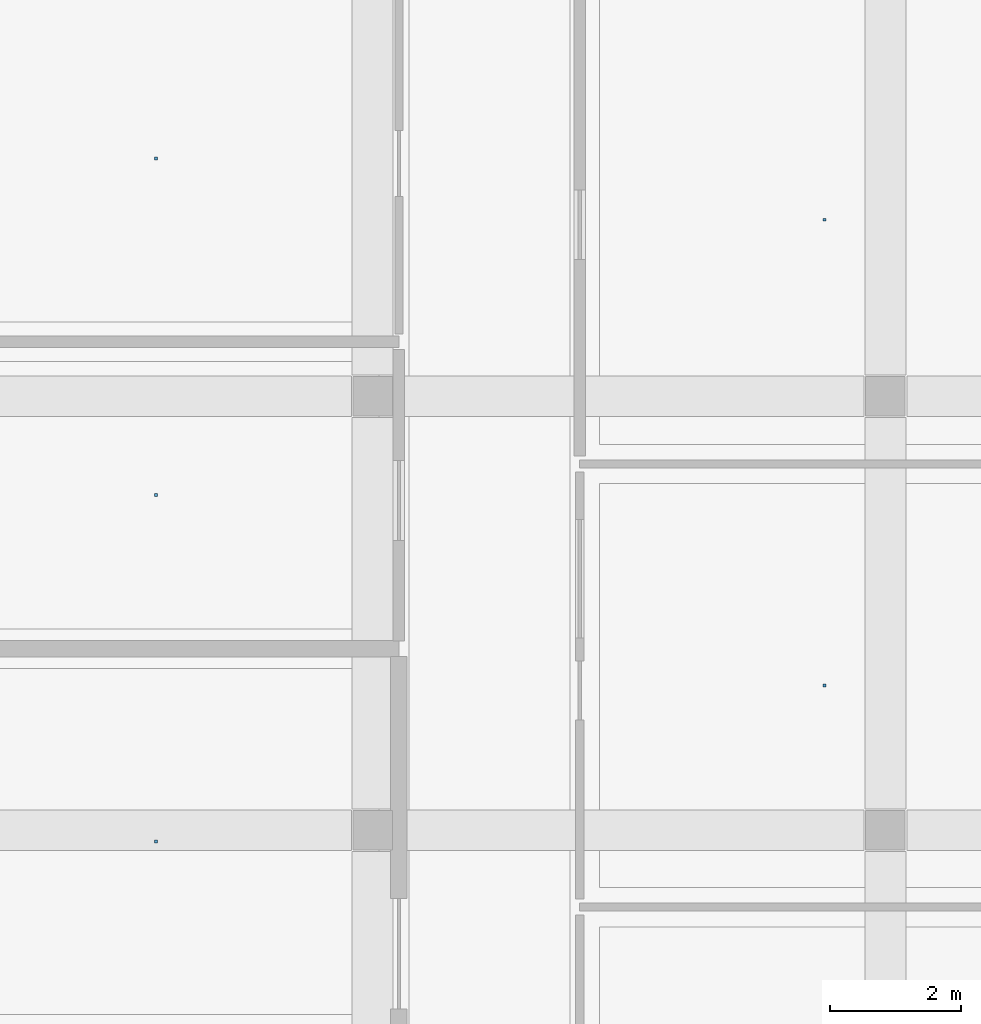
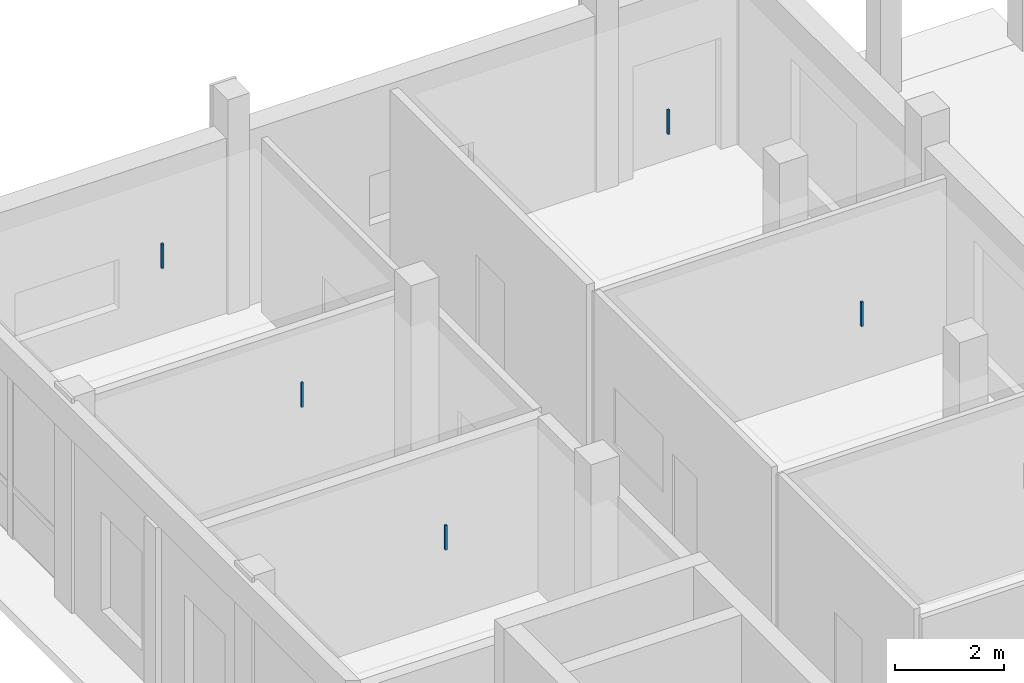
# One storey, part 63 of 88: 5 discrete accessories.
"""IFC4 building model written with IfcOpenShell, lengths in metres."""

from ifc_helpers import new_model, si_unit, derived_unit, direction, frame, origin, origin_2d, place, context, subcontext, project, spatial, rectangle, extrude, material, type_object, element, save


model = new_model("IFC4")

# Units and contexts
model_context = context("Model", 3, precision=1e-05, world=origin(), true_north=direction((0.0, 1.0)))
body_context = subcontext(model_context, "Body", "Model", "MODEL_VIEW")
ifc_project = project(units=[si_unit("LENGTHUNIT", "METRE"), si_unit("AREAUNIT", "SQUARE_METRE"), si_unit("VOLUMEUNIT", "CUBIC_METRE"), si_unit("PLANEANGLEUNIT", "RADIAN"), si_unit("MASSUNIT", "GRAM", prefix="KILO"), derived_unit("THERMALTRANSMITTANCEUNIT", [(si_unit("POWERUNIT", "WATT"), 1), (si_unit("LENGTHUNIT", "METRE"), -2), (si_unit("THERMODYNAMICTEMPERATUREUNIT", "KELVIN"), -1)])], contexts=[model_context])

# Site, building, storey
site_placement = place(None, origin())
site = spatial("IfcSite", under=ifc_project, at=site_placement, CompositionType="ELEMENT")
building_placement = place(site_placement, origin())
building = spatial("IfcBuilding", under=site, at=building_placement, Name="Braskholm Square Health Centre", CompositionType="ELEMENT")
storey_placement = place(building_placement, origin())
storey = spatial("IfcBuildingStorey", under=building, at=storey_placement, Name="L01", CompositionType="ELEMENT", Elevation=0.0)

# Discrete accessories
ifc_material = material(Name="Steel ASTM A500 Grade C", Category="steel")
discrete_accessory_type = type_object("IfcDiscreteAccessoryType", Name="CeilingSuspensionBracket", PredefinedType="BRACKET", material=ifc_material)
for number, where, z_axis, x_axis, name in (
    (1, (8.10205078125, 100.22998046875, 3.8818359375), (0.0, 0.0, 1.0), (1.0, 0.0, 0.0), "Ceiling hanger bracket 0014"),
    (2, (8.10205078125, 105.4951171875, 3.8818359375), (0.0, 0.0, 1.0), (1.0, 0.0, 0.0), "Ceiling hanger bracket 0015"),
    (3, (8.10205078125, 110.614990234375, 3.8818359375), (0.0, 0.0, 1.0), (1.0, 0.0, 0.0), "Ceiling hanger bracket 0016"),
    (4, (18.27294921875, 102.60009765625, 3.8818359375), (0.0, 0.0, 1.0), (1.0, 0.0, 0.0), "Ceiling hanger bracket 0024"),
    (5, (18.27294921875, 109.68505859375, 3.8818359375), (0.0, 0.0, 1.0), (1.0, 0.0, 0.0), "Ceiling hanger bracket 0025"),
):
    element("IfcDiscreteAccessory", number, at=place(storey_placement, frame(where, z_axis=z_axis, x_axis=x_axis)), inside=storey, type_object=discrete_accessory_type, Name=name, PredefinedType="BRACKET", context=body_context, shape_type="SweptSolid", body=[
        extrude(rectangle(XDim=0.044921875, YDim=0.044921875, at=origin_2d()), origin(), (0.0, 0.0, 1.0), 0.550048828125),
    ])

save(model, "model.ifc")
